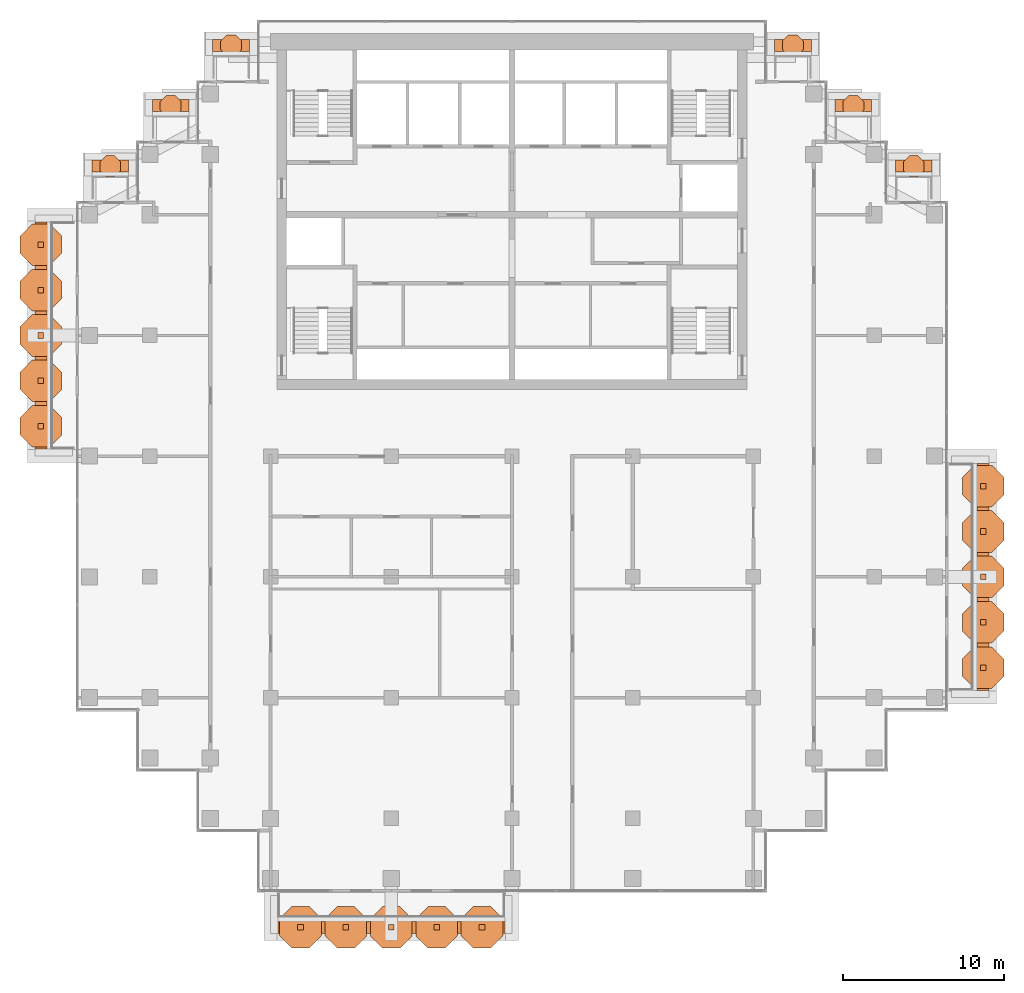
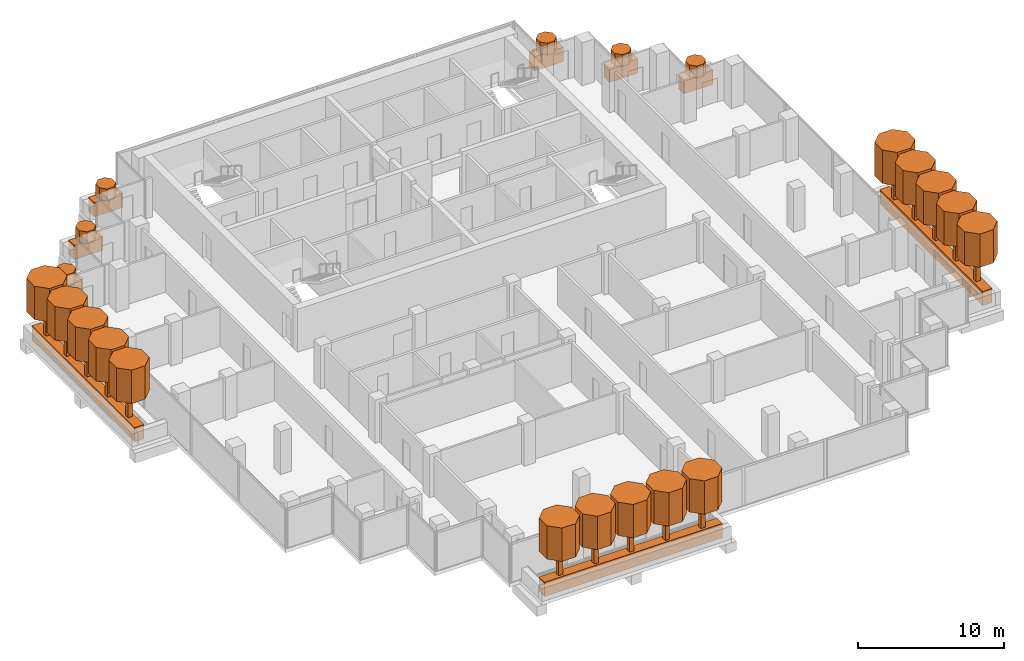
# One storey, part 18 of 18: 45 geographic elements.
"""IFC4 building model written with IfcOpenShell, lengths in metres."""

from ifc_helpers import new_model, si_unit, direction, frame, origin, origin_2d, place, context, subcontext, project, spatial, polyline, rectangle, outline, extrude, material, material_profile, profile_set, type_object, element, save


model = new_model("IFC4")

# Units and contexts
model_context = context("Model", 3, precision=1e-05, world=origin(), true_north=direction((0.0, 1.0)))
body_context = subcontext(model_context, "Body", "Model", "MODEL_VIEW")
ifc_project = project(units=[si_unit("LENGTHUNIT", "METRE"), si_unit("AREAUNIT", "SQUARE_METRE"), si_unit("VOLUMEUNIT", "CUBIC_METRE"), si_unit("PLANEANGLEUNIT", "RADIAN"), si_unit("MASSUNIT", "GRAM", prefix="KILO")], contexts=[model_context])

# Site, building, storey
site_placement = place(None, origin())
site = spatial("IfcSite", under=ifc_project, at=site_placement, CompositionType="ELEMENT")
building_placement = place(site_placement, origin())
building = spatial("IfcBuilding", under=site, at=building_placement, Name="Pilkhan Gate Tower", CompositionType="ELEMENT")
storey_placement = place(building_placement, frame((0.0, 0.0, 199.5)))
storey = spatial("IfcBuildingStorey", under=building, at=storey_placement, Name="L51", CompositionType="ELEMENT", Elevation=199.5)

# Geographic elements
ifc_material_1 = material(Name="Foliage")
ifc_material_profile_1 = material_profile(ifc_material_1, rectangle(XDim=0.75, YDim=1.199951171875, at=origin_2d()), Name="Bed 750x1200")
ifc_profile_set_1 = profile_set([ifc_material_profile_1], Name="Foliage")
geographic_element_type_1 = type_object("IfcGeographicElementType", Name="Planting bed PB1", PredefinedType="USERDEFINED", material=ifc_profile_set_1)
for number, where, z_axis, x_axis, name in (
    (1, (60.449951171875, 38.22509765625, 0.60009765625), (1.0, 0.0, 0.0), (0.0, 1.0, 0.0), "Balcony L51 S planting bed"),
    (2, (104.27490234375, 52.949951171875, 0.60009765625), (0.0, 1.0, 0.0), (-1.0, 0.0, 0.0), "Balcony L51 E planting bed"),
):
    element("IfcGeographicElement", number, at=place(storey_placement, frame(where, z_axis=z_axis, x_axis=x_axis)), inside=storey, type_object=geographic_element_type_1, Name=name, ObjectType="PLANTING BED", PredefinedType="USERDEFINED", context=body_context, shape_type="SweptSolid", body=[
        extrude(rectangle(XDim=0.75, YDim=1.199951171875, at=origin_2d()), origin(), (0.0, 0.0, 1.0), 14.10009765625),
    ])
for number, where, z_axis, x_axis, name in (
    (3, (56.39990234375, 93.02490234375, 0.60009765625), (1.0, 0.0, 0.0), (0.0, 1.0, 0.0), "Balcony L51 N planting bed"),
    (4, (91.300048828125, 93.02490234375, 0.60009765625), (1.0, 0.0, 0.0), (0.0, 1.0, 0.0), "Balcony L51 N planting bed"),
):
    element("IfcGeographicElement", number, at=place(storey_placement, frame(where, z_axis=z_axis, x_axis=x_axis)), inside=storey, type_object=geographic_element_type_1, Name=name, ObjectType="PLANTING BED", PredefinedType="USERDEFINED", context=body_context, shape_type="SweptSolid", body=[
        extrude(rectangle(XDim=0.75, YDim=1.199951171875, at=origin_2d()), origin(), (0.0, 0.0, 1.0), 2.300048828125),
    ])
for number, where, z_axis, x_axis, name in (
    (5, (52.64990234375, 89.27490234375, 0.60009765625), (1.0, 0.0, 0.0), (0.0, 1.0, 0.0), "Balcony L51 N planting bed"),
    (6, (48.89990234375, 85.52490234375, 0.60009765625), (1.0, 0.0, 0.0), (0.0, 1.0, 0.0), "Balcony L51 N planting bed"),
    (7, (95.070068359375, 89.27490234375, 0.60009765625), (1.0, 0.0, 0.0), (0.0, 1.0, 0.0), "Balcony L51 N planting bed"),
    (8, (98.820068359375, 85.52490234375, 0.60009765625), (1.0, 0.0, 0.0), (0.0, 1.0, 0.0), "Balcony L51 N planting bed"),
):
    element("IfcGeographicElement", number, at=place(storey_placement, frame(where, z_axis=z_axis, x_axis=x_axis)), inside=storey, type_object=geographic_element_type_1, Name=name, ObjectType="PLANTING BED", PredefinedType="USERDEFINED", context=body_context, shape_type="SweptSolid", body=[
        extrude(rectangle(XDim=0.75, YDim=1.199951171875, at=origin_2d()), origin(), (0.0, 0.0, 1.0), 2.280029296875),
    ])
geographic_element_placement = place(storey_placement, frame((45.72509765625, 67.949951171875, 0.60009765625), z_axis=(0.0, 1.0, 0.0), x_axis=(-1.0, 0.0, 0.0)))
element("IfcGeographicElement", 9, at=geographic_element_placement, inside=storey, type_object=geographic_element_type_1, Name="Balcony L51 W planting bed", ObjectType="PLANTING BED", PredefinedType="USERDEFINED", context=body_context, shape_type="SweptSolid", body=[
    extrude(rectangle(XDim=0.75, YDim=1.199951171875, at=origin_2d()), origin(), (0.0, 0.0, 1.0), 14.10009765625),
])
ifc_material_profile_2 = material_profile(ifc_material_1, outline(polyline([(0.646728515625, 0.267822265625), (0.267822265625, 0.646728515625), (-0.267822265625, 0.646728515625), (-0.646728515625, 0.267822265625), (-0.646728515625, -0.267822265625), (-0.267822265625, -0.646728515625), (0.267822265625, -0.646728515625), (0.646728515625, -0.267822265625), (0.646728515625, 0.267822265625)])), Name="Shrub D1.4")
ifc_profile_set_2 = profile_set([ifc_material_profile_2], Name="Foliage")
geographic_element_type_2 = type_object("IfcGeographicElementType", Name="Shrub SH07", PredefinedType="USERDEFINED", material=ifc_profile_set_2)
for number, where, z_axis, x_axis, name in (
    (10, (57.550048828125, 93.02490234375, 1.199951171875), (0.0, 0.0, 1.0), (1.0, 0.0, 0.0), "Shrub L51 N 1"),
    (11, (92.449951171875, 93.02490234375, 1.199951171875), (0.0, 0.0, 1.0), (1.0, 0.0, 0.0), "Shrub L51 N 1"),
    (12, (53.7900390625, 89.27490234375, 1.199951171875), (0.0, 0.0, 1.0), (1.0, 0.0, 0.0), "Shrub L51 N 1"),
    (13, (50.0400390625, 85.52490234375, 1.199951171875), (0.0, 0.0, 1.0), (1.0, 0.0, 0.0), "Shrub L51 N 1"),
    (14, (96.2099609375, 89.27490234375, 1.199951171875), (0.0, 0.0, 1.0), (1.0, 0.0, 0.0), "Shrub L51 N 1"),
    (15, (99.9599609375, 85.52490234375, 1.199951171875), (0.0, 0.0, 1.0), (1.0, 0.0, 0.0), "Shrub L51 N 1"),
):
    element("IfcGeographicElement", number, at=place(storey_placement, frame(where, z_axis=z_axis, x_axis=x_axis)), inside=storey, type_object=geographic_element_type_2, Name=name, ObjectType="SHRUB", PredefinedType="USERDEFINED", context=body_context, shape_type="SweptSolid", body=[
        extrude(outline(polyline([(0.646728515625, 0.267822265625), (0.267822265625, 0.646728515625), (-0.267822265625, 0.646728515625), (-0.646728515625, 0.267822265625), (-0.646728515625, -0.267822265625), (-0.267822265625, -0.646728515625), (0.267822265625, -0.646728515625), (0.646728515625, -0.267822265625), (0.646728515625, 0.267822265625)])), origin(), (0.0, 0.0, 1.0), 1.0),
    ])
ifc_material_profile_3 = material_profile(ifc_material_1, outline(polyline([(1.29345703125, 0.535888671875), (0.535888671875, 1.29345703125), (-0.535888671875, 1.29345703125), (-1.29345703125, 0.535888671875), (-1.29345703125, -0.535888671875), (-0.535888671875, -1.29345703125), (0.535888671875, -1.29345703125), (1.29345703125, -0.535888671875), (1.29345703125, 0.535888671875)])), Name="Canopy D2.8")
ifc_profile_set_3 = profile_set([ifc_material_profile_3], Name="Foliage")
geographic_element_type_3 = type_object("IfcGeographicElementType", Name="Tree canopy TC14", PredefinedType="USERDEFINED", material=ifc_profile_set_3)
for number, where, z_axis, x_axis, name in (
    (16, (61.860107421875, 38.22509765625, 3.199951171875), (0.0, 0.0, 1.0), (1.0, 0.0, 0.0), "Tree L51 S 1 canopy"),
    (17, (64.679931640625, 38.22509765625, 3.199951171875), (0.0, 0.0, 1.0), (1.0, 0.0, 0.0), "Tree L51 S 2 canopy"),
    (18, (67.5, 38.22509765625, 3.199951171875), (0.0, 0.0, 1.0), (1.0, 0.0, 0.0), "Tree L51 S 3 canopy"),
    (19, (70.320068359375, 38.22509765625, 3.199951171875), (0.0, 0.0, 1.0), (1.0, 0.0, 0.0), "Tree L51 S 4 canopy"),
    (20, (73.139892578125, 38.22509765625, 3.199951171875), (0.0, 0.0, 1.0), (1.0, 0.0, 0.0), "Tree L51 S 5 canopy"),
    (21, (104.27490234375, 54.360107421875, 3.199951171875), (0.0, 0.0, 1.0), (1.0, 0.0, 0.0), "Tree L51 E 1 canopy"),
    (22, (104.27490234375, 57.179931640625, 3.199951171875), (0.0, 0.0, 1.0), (1.0, 0.0, 0.0), "Tree L51 E 2 canopy"),
    (23, (104.27490234375, 60.0, 3.199951171875), (0.0, 0.0, 1.0), (1.0, 0.0, 0.0), "Tree L51 E 3 canopy"),
    (24, (104.27490234375, 62.820068359375, 3.199951171875), (0.0, 0.0, 1.0), (1.0, 0.0, 0.0), "Tree L51 E 4 canopy"),
    (25, (104.27490234375, 65.639892578125, 3.199951171875), (0.0, 0.0, 1.0), (1.0, 0.0, 0.0), "Tree L51 E 5 canopy"),
    (26, (45.72509765625, 69.360107421875, 3.199951171875), (0.0, 0.0, 1.0), (1.0, 0.0, 0.0), "Tree L51 W 1 canopy"),
    (27, (45.72509765625, 72.179931640625, 3.199951171875), (0.0, 0.0, 1.0), (1.0, 0.0, 0.0), "Tree L51 W 2 canopy"),
    (28, (45.72509765625, 75.0, 3.199951171875), (0.0, 0.0, 1.0), (1.0, 0.0, 0.0), "Tree L51 W 3 canopy"),
    (29, (45.72509765625, 77.820068359375, 3.199951171875), (0.0, 0.0, 1.0), (1.0, 0.0, 0.0), "Tree L51 W 4 canopy"),
    (30, (45.72509765625, 80.639892578125, 3.199951171875), (0.0, 0.0, 1.0), (1.0, 0.0, 0.0), "Tree L51 W 5 canopy"),
):
    element("IfcGeographicElement", number, at=place(storey_placement, frame(where, z_axis=z_axis, x_axis=x_axis)), inside=storey, type_object=geographic_element_type_3, Name=name, ObjectType="TREE", PredefinedType="USERDEFINED", context=body_context, shape_type="SweptSolid", body=[
        extrude(outline(polyline([(1.29345703125, 0.535888671875), (0.535888671875, 1.29345703125), (-0.535888671875, 1.29345703125), (-1.29345703125, 0.535888671875), (-1.29345703125, -0.535888671875), (-0.535888671875, -1.29345703125), (0.535888671875, -1.29345703125), (1.29345703125, -0.535888671875), (1.29345703125, 0.535888671875)])), origin(), (0.0, 0.0, 1.0), 2.800048828125),
    ])
ifc_material_2 = material(Name="Timber trunk", Category="wood")
geographic_element_type_4 = type_object("IfcGeographicElementType", Name="Tree trunk TT1", PredefinedType="USERDEFINED", material=ifc_material_2)
for number, where, z_axis, x_axis, name in (
    (31, (61.860107421875, 38.22509765625, 1.199951171875), (0.0, 0.0, 1.0), (1.0, 0.0, 0.0), "Tree L51 S 1 trunk"),
    (32, (64.679931640625, 38.22509765625, 1.199951171875), (0.0, 0.0, 1.0), (1.0, 0.0, 0.0), "Tree L51 S 2 trunk"),
    (33, (67.5, 38.22509765625, 1.199951171875), (0.0, 0.0, 1.0), (1.0, 0.0, 0.0), "Tree L51 S 3 trunk"),
    (34, (70.320068359375, 38.22509765625, 1.199951171875), (0.0, 0.0, 1.0), (1.0, 0.0, 0.0), "Tree L51 S 4 trunk"),
    (35, (73.139892578125, 38.22509765625, 1.199951171875), (0.0, 0.0, 1.0), (1.0, 0.0, 0.0), "Tree L51 S 5 trunk"),
    (36, (104.27490234375, 54.360107421875, 1.199951171875), (0.0, 0.0, 1.0), (1.0, 0.0, 0.0), "Tree L51 E 1 trunk"),
    (37, (104.27490234375, 57.179931640625, 1.199951171875), (0.0, 0.0, 1.0), (1.0, 0.0, 0.0), "Tree L51 E 2 trunk"),
    (38, (104.27490234375, 60.0, 1.199951171875), (0.0, 0.0, 1.0), (1.0, 0.0, 0.0), "Tree L51 E 3 trunk"),
    (39, (104.27490234375, 62.820068359375, 1.199951171875), (0.0, 0.0, 1.0), (1.0, 0.0, 0.0), "Tree L51 E 4 trunk"),
    (40, (104.27490234375, 65.639892578125, 1.199951171875), (0.0, 0.0, 1.0), (1.0, 0.0, 0.0), "Tree L51 E 5 trunk"),
    (41, (45.72509765625, 69.360107421875, 1.199951171875), (0.0, 0.0, 1.0), (1.0, 0.0, 0.0), "Tree L51 W 1 trunk"),
    (42, (45.72509765625, 72.179931640625, 1.199951171875), (0.0, 0.0, 1.0), (1.0, 0.0, 0.0), "Tree L51 W 2 trunk"),
    (43, (45.72509765625, 75.0, 1.199951171875), (0.0, 0.0, 1.0), (1.0, 0.0, 0.0), "Tree L51 W 3 trunk"),
    (44, (45.72509765625, 77.820068359375, 1.199951171875), (0.0, 0.0, 1.0), (1.0, 0.0, 0.0), "Tree L51 W 4 trunk"),
    (45, (45.72509765625, 80.639892578125, 1.199951171875), (0.0, 0.0, 1.0), (1.0, 0.0, 0.0), "Tree L51 W 5 trunk"),
):
    element("IfcGeographicElement", number, at=place(storey_placement, frame(where, z_axis=z_axis, x_axis=x_axis)), inside=storey, type_object=geographic_element_type_4, Name=name, ObjectType="TREE", PredefinedType="USERDEFINED", context=body_context, shape_type="SweptSolid", body=[
        extrude(rectangle(XDim=0.35009765625, YDim=0.35009765625, at=origin_2d()), origin(), (0.0, 0.0, 1.0), 2.0),
    ])

save(model, "model.ifc")
